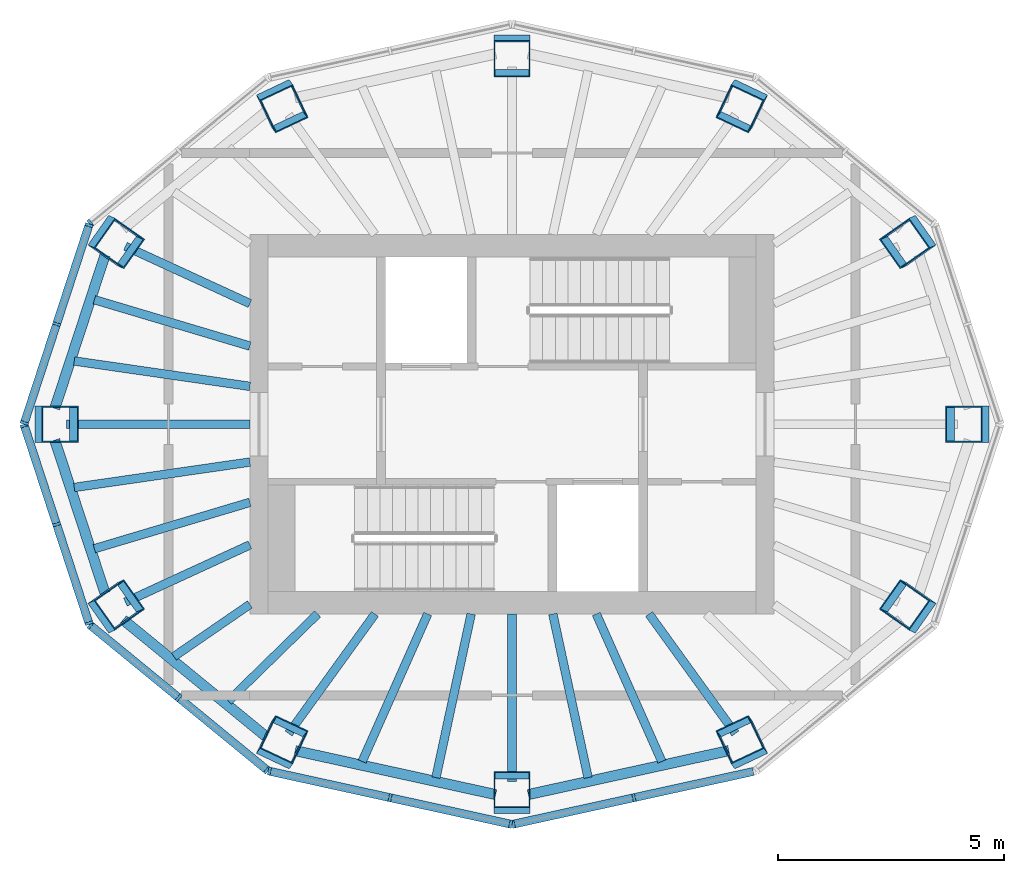
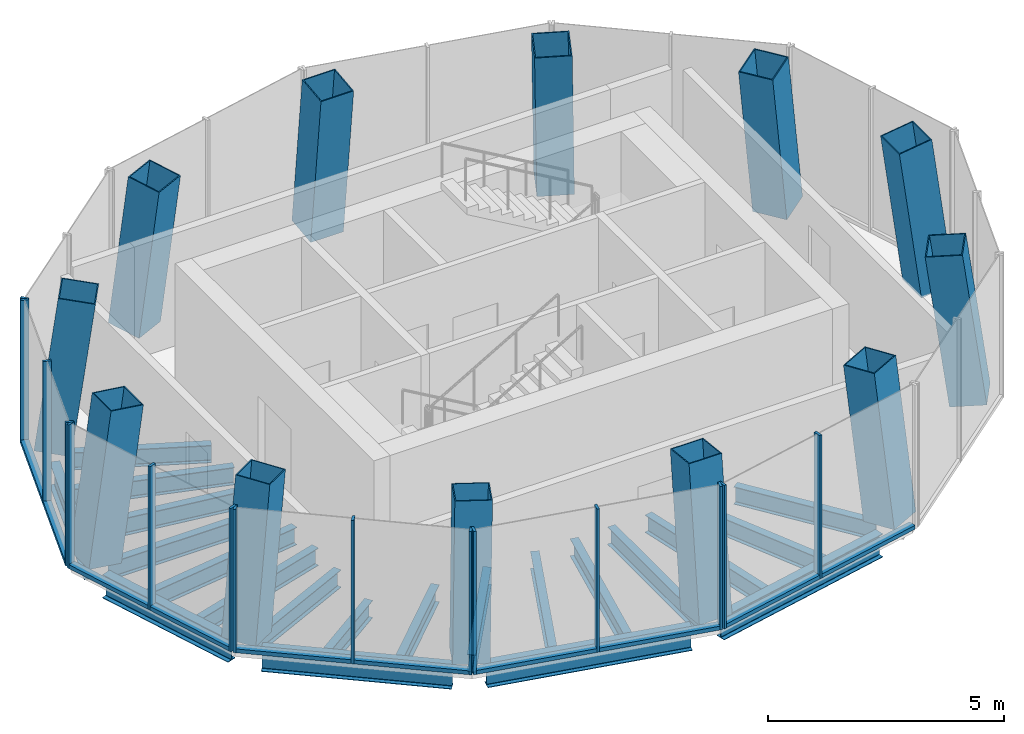
# One storey, part 1 of 5: 25 members, 21 beams, 12 columns, 6 elements without a shape of their own.
"""IFC4 building model written with IfcOpenShell, lengths in metres."""

from ifc_helpers import new_model, si_unit, direction, frame, origin, origin_2d, place, context, subcontext, project, spatial, rectangle, hollow_rectangle, i_section, extrude, material, layer, layer_set, material_profile, profile_set, type_object, element, aggregate, save


model = new_model("IFC4")

# Units and contexts
model_context = context("Model", 3, precision=1e-05, world=origin(), true_north=direction((0.0, 1.0)))
body_context = subcontext(model_context, "Body", "Model", "MODEL_VIEW")
ifc_project = project(units=[si_unit("LENGTHUNIT", "METRE"), si_unit("AREAUNIT", "SQUARE_METRE"), si_unit("VOLUMEUNIT", "CUBIC_METRE"), si_unit("PLANEANGLEUNIT", "RADIAN"), si_unit("MASSUNIT", "GRAM", prefix="KILO")], contexts=[model_context])

# Site, building, storey
site_placement = place(None, origin())
site = spatial("IfcSite", under=ifc_project, at=site_placement, CompositionType="ELEMENT")
building_placement = place(site_placement, origin())
building = spatial("IfcBuilding", under=site, at=building_placement, Name="Siaravel Broadcast Tower", CompositionType="ELEMENT")
storey_placement = place(building_placement, frame((0.0, 0.0, 288.199951171875)))
storey = spatial("IfcBuildingStorey", under=building, at=storey_placement, Name="L70", CompositionType="ELEMENT", Elevation=288.199951171875)

# Columns
ifc_material_1 = material(Name="Concrete C50/60", Category="concrete")
ifc_material_profile_1 = material_profile(ifc_material_1, hollow_rectangle(XDim=0.800048828125, YDim=0.800048828125, WallThickness=0.02490234375, at=origin_2d()))
ifc_profile_set_1 = profile_set([ifc_material_profile_1], Name="Concrete C50/60")
column_type = type_object("IfcColumnType", Name="Crown rib CFT BOX 800x800x25", PredefinedType="COLUMN", material=ifc_profile_set_1)
column_1_placement = place(storey_placement, frame((10.163818359375, 0.0, 0.0), z_axis=(-0.136914367, 0.0, 0.990582887), x_axis=(0.0, -1.0, 0.0)))
element("IfcColumn", 1, at=column_1_placement, inside=storey, type_object=column_type, Name="Crown rib 01", PredefinedType="COLUMN", context=body_context, shape_type="SweptSolid", body=[
    extrude(hollow_rectangle(XDim=0.800048828125, YDim=0.800048828125, WallThickness=0.02490234375, at=origin_2d()), origin(), (0.0, 0.0, 1.0), 3.937255859375),
])
column_2_placement = place(storey_placement, frame((8.830810546875, 4.064697265625, 0.0), z_axis=(-0.11908856, -0.054796873, 0.991370374), x_axis=(0.574592794, -0.818093207, 0.023803898)))
element("IfcColumn", 2, at=column_2_placement, inside=storey, type_object=column_type, Name="Crown rib 02", PredefinedType="COLUMN", context=body_context, shape_type="SweptSolid", body=[
    extrude(hollow_rectangle(XDim=0.800048828125, YDim=0.800048828125, WallThickness=0.02490234375, at=origin_2d()), origin(), (0.0, 0.0, 1.0), 3.93408203125),
])
column_3_placement = place(storey_placement, frame((5.12451171875, 7.095458984375, 0.0), z_axis=(-0.069182879, -0.095849056, 0.992988765), x_axis=(0.90338224, -0.42829199, 0.021598634)))
element("IfcColumn", 3, at=column_3_placement, inside=storey, type_object=column_type, Name="Crown rib 03", PredefinedType="COLUMN", context=body_context, shape_type="SweptSolid", body=[
    extrude(hollow_rectangle(XDim=0.800048828125, YDim=0.800048828125, WallThickness=0.02490234375, at=origin_2d()), origin(), (0.0, 0.0, 1.0), 3.927734375),
])
column_4_placement = place(storey_placement, frame((0.0, 8.21875, 0.0), z_axis=(0.0, -0.111046025, 0.993815265), x_axis=(1.0, 0.0, 0.0)))
element("IfcColumn", 4, at=column_4_placement, inside=storey, type_object=column_type, Name="Crown rib 04", PredefinedType="COLUMN", context=body_context, shape_type="SweptSolid", body=[
    extrude(hollow_rectangle(XDim=0.800048828125, YDim=0.800048828125, WallThickness=0.02490234375, at=origin_2d()), origin(), (0.0, 0.0, 1.0), 3.92431640625),
])
column_5_placement = place(storey_placement, frame((-5.12451171875, 7.095458984375, 0.0), z_axis=(0.069182879, -0.095849056, 0.992988765), x_axis=(0.90338224, 0.42829199, -0.021598634)))
element("IfcColumn", 5, at=column_5_placement, inside=storey, type_object=column_type, Name="Crown rib 05", PredefinedType="COLUMN", context=body_context, shape_type="SweptSolid", body=[
    extrude(hollow_rectangle(XDim=0.800048828125, YDim=0.800048828125, WallThickness=0.02490234375, at=origin_2d()), origin(), (0.0, 0.0, 1.0), 3.927734375),
])
column_6_placement = place(storey_placement, frame((-8.830810546875, 4.064697265625, 0.0), z_axis=(0.11908856, -0.054796873, 0.991370374), x_axis=(0.574592794, 0.818093207, -0.023803898)))
element("IfcColumn", 6, at=column_6_placement, inside=storey, type_object=column_type, Name="Crown rib 06", PredefinedType="COLUMN", context=body_context, shape_type="SweptSolid", body=[
    extrude(hollow_rectangle(XDim=0.800048828125, YDim=0.800048828125, WallThickness=0.02490234375, at=origin_2d()), origin(), (0.0, 0.0, 1.0), 3.93408203125),
])
column_7_placement = place(storey_placement, frame((-10.163818359375, 0.0, 0.0), z_axis=(0.136914367, 0.0, 0.990582887), x_axis=(0.0, 1.0, 0.0)))
element("IfcColumn", 7, at=column_7_placement, inside=storey, type_object=column_type, Name="Crown rib 07", PredefinedType="COLUMN", context=body_context, shape_type="SweptSolid", body=[
    extrude(hollow_rectangle(XDim=0.800048828125, YDim=0.800048828125, WallThickness=0.02490234375, at=origin_2d()), origin(), (0.0, 0.0, 1.0), 3.937255859375),
])
column_8_placement = place(storey_placement, frame((-8.830810546875, -4.064697265625, 0.0), z_axis=(0.11908856, 0.054796873, 0.991370374), x_axis=(-0.574592794, 0.818093207, 0.023803898)))
element("IfcColumn", 8, at=column_8_placement, inside=storey, type_object=column_type, Name="Crown rib 08", PredefinedType="COLUMN", context=body_context, shape_type="SweptSolid", body=[
    extrude(hollow_rectangle(XDim=0.800048828125, YDim=0.800048828125, WallThickness=0.02490234375, at=origin_2d()), origin(), (0.0, 0.0, 1.0), 3.93408203125),
])
column_9_placement = place(storey_placement, frame((-5.12451171875, -7.095458984375, 0.0), z_axis=(0.069182879, 0.095849056, 0.992988765), x_axis=(-0.90338224, 0.42829199, 0.021598634)))
element("IfcColumn", 9, at=column_9_placement, inside=storey, type_object=column_type, Name="Crown rib 09", PredefinedType="COLUMN", context=body_context, shape_type="SweptSolid", body=[
    extrude(hollow_rectangle(XDim=0.800048828125, YDim=0.800048828125, WallThickness=0.02490234375, at=origin_2d()), origin(), (0.0, 0.0, 1.0), 3.927734375),
])
column_10_placement = place(storey_placement, frame((0.0, -8.21875, 0.0), z_axis=(0.0, 0.111046025, 0.993815265), x_axis=(-1.0, 0.0, 0.0)))
element("IfcColumn", 10, at=column_10_placement, inside=storey, type_object=column_type, Name="Crown rib 10", PredefinedType="COLUMN", context=body_context, shape_type="SweptSolid", body=[
    extrude(hollow_rectangle(XDim=0.800048828125, YDim=0.800048828125, WallThickness=0.02490234375, at=origin_2d()), origin(), (0.0, 0.0, 1.0), 3.92431640625),
])
column_11_placement = place(storey_placement, frame((5.12451171875, -7.095458984375, 0.0), z_axis=(-0.069182879, 0.095849056, 0.992988765), x_axis=(-0.90338224, -0.42829199, -0.021598634)))
element("IfcColumn", 11, at=column_11_placement, inside=storey, type_object=column_type, Name="Crown rib 11", PredefinedType="COLUMN", context=body_context, shape_type="SweptSolid", body=[
    extrude(hollow_rectangle(XDim=0.800048828125, YDim=0.800048828125, WallThickness=0.02490234375, at=origin_2d()), origin(), (0.0, 0.0, 1.0), 3.927734375),
])
column_12_placement = place(storey_placement, frame((8.830810546875, -4.064697265625, 0.0), z_axis=(-0.11908856, 0.054796873, 0.991370374), x_axis=(-0.574592794, -0.818093207, -0.023803898)))
element("IfcColumn", 12, at=column_12_placement, inside=storey, type_object=column_type, Name="Crown rib 12", PredefinedType="COLUMN", context=body_context, shape_type="SweptSolid", body=[
    extrude(hollow_rectangle(XDim=0.800048828125, YDim=0.800048828125, WallThickness=0.02490234375, at=origin_2d()), origin(), (0.0, 0.0, 1.0), 3.93408203125),
])

# Curtain wall, member
ifc_material_2 = material(Name="Aluminium 6063-T6", Category="aluminium")
ifc_layer = layer(ifc_material_2, 0.179931640625)
ifc_layer_set = layer_set([ifc_layer], Name="Aluminium 6063-T6")
curtain_wall_type = type_object("IfcCurtainWallType", Name="Crown glass facet wall", PredefinedType="NOTDEFINED", material=ifc_layer_set)
curtain_wall_1_placement = place(storey_placement, origin())
curtain_wall_1 = element("IfcCurtainWall", 13, at=curtain_wall_1_placement, inside=storey, type_object=curtain_wall_type, Name="L70 Crown glass facet wall 05", PredefinedType="NOTDEFINED")
ifc_material_profile_2 = material_profile(ifc_material_2, rectangle(XDim=0.179931640625, YDim=0.06005859375, at=origin_2d()))
ifc_profile_set_2 = profile_set([ifc_material_profile_2], Name="Aluminium 6063-T6")
member_type_1 = type_object("IfcMemberType", Name="CW-CR mullion", PredefinedType="MULLION", material=ifc_profile_set_2)
member_1_placement = place(storey_placement, frame((-9.3291015625, 4.451416015625, 0.0), z_axis=(0.0, 0.0, 1.0), x_axis=(0.633718382, -0.773563838, 0.0)))
member_1 = element("IfcMember", 14, at=member_1_placement, type_object=member_type_1, Name="CW-CR mullion 3", PredefinedType="MULLION", context=body_context, shape_type="SweptSolid", body=[
    extrude(rectangle(XDim=0.179931640625, YDim=0.06005859375, at=origin_2d()), origin(), (0.0, 0.0, 1.0), 3.699951171875),
])
aggregate(curtain_wall_1, [member_1])

# Curtain wall, members
curtain_wall_2_placement = place(storey_placement, origin())
curtain_wall_2 = element("IfcCurtainWall", 15, at=curtain_wall_2_placement, inside=storey, type_object=curtain_wall_type, Name="L70 Crown glass facet wall 06", PredefinedType="NOTDEFINED")
member_2_placement = place(storey_placement, frame((-9.361572265625, 4.40380859375, 0.0), z_axis=(0.0, 0.0, 1.0), x_axis=(0.950457945, -0.310853173, 0.0)))
member_2 = element("IfcMember", 16, at=member_2_placement, type_object=member_type_1, Name="CW-CR mullion 1", PredefinedType="MULLION", context=body_context, shape_type="SweptSolid", body=[
    extrude(rectangle(XDim=0.179931640625, YDim=0.06005859375, at=origin_2d()), origin(), (0.0, 0.0, 1.0), 3.699951171875),
])
member_3_placement = place(storey_placement, frame((-10.0771484375, 2.21630859375, 0.0), z_axis=(0.0, 0.0, 1.0), x_axis=(0.950457945, -0.310853173, 0.0)))
member_3 = element("IfcMember", 17, at=member_3_placement, type_object=member_type_1, Name="CW-CR mullion 2", PredefinedType="MULLION", context=body_context, shape_type="SweptSolid", body=[
    extrude(rectangle(XDim=0.179931640625, YDim=0.06005859375, at=origin_2d()), origin(), (0.0, 0.0, 1.0), 3.699951171875),
])
member_4_placement = place(storey_placement, frame((-10.79248046875, 0.028564453125, 0.0), z_axis=(0.0, 0.0, 1.0), x_axis=(0.950457945, -0.310853173, 0.0)))
member_4 = element("IfcMember", 18, at=member_4_placement, type_object=member_type_1, Name="CW-CR mullion 3", PredefinedType="MULLION", context=body_context, shape_type="SweptSolid", body=[
    extrude(rectangle(XDim=0.179931640625, YDim=0.06005859375, at=origin_2d()), origin(), (0.0, 0.0, 1.0), 3.699951171875),
])

curtain_wall_3_placement = place(storey_placement, origin())
curtain_wall_3 = element("IfcCurtainWall", 19, at=curtain_wall_3_placement, inside=storey, type_object=curtain_wall_type, Name="L70 Crown glass facet wall 07", PredefinedType="NOTDEFINED")
member_5_placement = place(storey_placement, frame((-10.79248046875, -0.028564453125, 0.0), z_axis=(0.0, 0.0, 1.0), x_axis=(0.950457945, 0.310853173, 0.0)))
member_5 = element("IfcMember", 20, at=member_5_placement, type_object=member_type_1, Name="CW-CR mullion 1", PredefinedType="MULLION", context=body_context, shape_type="SweptSolid", body=[
    extrude(rectangle(XDim=0.179931640625, YDim=0.06005859375, at=origin_2d()), origin(), (0.0, 0.0, 1.0), 3.699951171875),
])
member_6_placement = place(storey_placement, frame((-10.0771484375, -2.21630859375, 0.0), z_axis=(0.0, 0.0, 1.0), x_axis=(0.950457945, 0.310853173, 0.0)))
member_6 = element("IfcMember", 21, at=member_6_placement, type_object=member_type_1, Name="CW-CR mullion 2", PredefinedType="MULLION", context=body_context, shape_type="SweptSolid", body=[
    extrude(rectangle(XDim=0.179931640625, YDim=0.06005859375, at=origin_2d()), origin(), (0.0, 0.0, 1.0), 3.699951171875),
])
member_7_placement = place(storey_placement, frame((-9.361572265625, -4.40380859375, 0.0), z_axis=(0.0, 0.0, 1.0), x_axis=(0.950457945, 0.310853173, 0.0)))
member_7 = element("IfcMember", 22, at=member_7_placement, type_object=member_type_1, Name="CW-CR mullion 3", PredefinedType="MULLION", context=body_context, shape_type="SweptSolid", body=[
    extrude(rectangle(XDim=0.179931640625, YDim=0.06005859375, at=origin_2d()), origin(), (0.0, 0.0, 1.0), 3.699951171875),
])

curtain_wall_4_placement = place(storey_placement, origin())
curtain_wall_4 = element("IfcCurtainWall", 23, at=curtain_wall_4_placement, inside=storey, type_object=curtain_wall_type, Name="L70 Crown glass facet wall 08", PredefinedType="NOTDEFINED")
member_8_placement = place(storey_placement, frame((-9.3291015625, -4.451416015625, 0.0), z_axis=(0.0, 0.0, 1.0), x_axis=(0.633718382, 0.773563838, 0.0)))
member_8 = element("IfcMember", 24, at=member_8_placement, type_object=member_type_1, Name="CW-CR mullion 1", PredefinedType="MULLION", context=body_context, shape_type="SweptSolid", body=[
    extrude(rectangle(XDim=0.179931640625, YDim=0.06005859375, at=origin_2d()), origin(), (0.0, 0.0, 1.0), 3.699951171875),
])
member_9_placement = place(storey_placement, frame((-7.374755859375, -6.05224609375, 0.0), z_axis=(0.0, 0.0, 1.0), x_axis=(0.633718382, 0.773563838, 0.0)))
member_9 = element("IfcMember", 25, at=member_9_placement, type_object=member_type_1, Name="CW-CR mullion 2", PredefinedType="MULLION", context=body_context, shape_type="SweptSolid", body=[
    extrude(rectangle(XDim=0.179931640625, YDim=0.06005859375, at=origin_2d()), origin(), (0.0, 0.0, 1.0), 3.699951171875),
])
member_10_placement = place(storey_placement, frame((-5.42041015625, -7.6533203125, 0.0), z_axis=(0.0, 0.0, 1.0), x_axis=(0.633718382, 0.773563838, 0.0)))
member_10 = element("IfcMember", 26, at=member_10_placement, type_object=member_type_1, Name="CW-CR mullion 3", PredefinedType="MULLION", context=body_context, shape_type="SweptSolid", body=[
    extrude(rectangle(XDim=0.179931640625, YDim=0.06005859375, at=origin_2d()), origin(), (0.0, 0.0, 1.0), 3.699951171875),
])

curtain_wall_5_placement = place(storey_placement, origin())
curtain_wall_5 = element("IfcCurtainWall", 27, at=curtain_wall_5_placement, inside=storey, type_object=curtain_wall_type, Name="L70 Crown glass facet wall 09", PredefinedType="NOTDEFINED")
member_11_placement = place(storey_placement, frame((-5.367919921875, -7.6787109375, 0.0), z_axis=(0.0, 0.0, 1.0), x_axis=(0.214396084, 0.976746804, 0.0)))
member_11 = element("IfcMember", 28, at=member_11_placement, type_object=member_type_1, Name="CW-CR mullion 1", PredefinedType="MULLION", context=body_context, shape_type="SweptSolid", body=[
    extrude(rectangle(XDim=0.179931640625, YDim=0.06005859375, at=origin_2d()), origin(), (0.0, 0.0, 1.0), 3.699951171875),
])
member_12_placement = place(storey_placement, frame((-2.69873046875, -8.2646484375, 0.0), z_axis=(0.0, 0.0, 1.0), x_axis=(0.214396084, 0.976746804, 0.0)))
member_12 = element("IfcMember", 29, at=member_12_placement, type_object=member_type_1, Name="CW-CR mullion 2", PredefinedType="MULLION", context=body_context, shape_type="SweptSolid", body=[
    extrude(rectangle(XDim=0.179931640625, YDim=0.06005859375, at=origin_2d()), origin(), (0.0, 0.0, 1.0), 3.699951171875),
])
member_13_placement = place(storey_placement, frame((-0.029296875, -8.8505859375, 0.0), z_axis=(0.0, 0.0, 1.0), x_axis=(0.214396084, 0.976746804, 0.0)))
member_13 = element("IfcMember", 30, at=member_13_placement, type_object=member_type_1, Name="CW-CR mullion 3", PredefinedType="MULLION", context=body_context, shape_type="SweptSolid", body=[
    extrude(rectangle(XDim=0.179931640625, YDim=0.06005859375, at=origin_2d()), origin(), (0.0, 0.0, 1.0), 3.699951171875),
])

curtain_wall_6_placement = place(storey_placement, origin())
curtain_wall_6 = element("IfcCurtainWall", 31, at=curtain_wall_6_placement, inside=storey, type_object=curtain_wall_type, Name="L70 Crown glass facet wall 10", PredefinedType="NOTDEFINED")
member_14_placement = place(storey_placement, frame((0.029296875, -8.8505859375, 0.0), z_axis=(0.0, 0.0, 1.0), x_axis=(-0.214396084, 0.976746804, 0.0)))
member_14 = element("IfcMember", 32, at=member_14_placement, type_object=member_type_1, Name="CW-CR mullion 1", PredefinedType="MULLION", context=body_context, shape_type="SweptSolid", body=[
    extrude(rectangle(XDim=0.179931640625, YDim=0.06005859375, at=origin_2d()), origin(), (0.0, 0.0, 1.0), 3.699951171875),
])
member_15_placement = place(storey_placement, frame((2.69873046875, -8.2646484375, 0.0), z_axis=(0.0, 0.0, 1.0), x_axis=(-0.214396084, 0.976746804, 0.0)))
member_15 = element("IfcMember", 33, at=member_15_placement, type_object=member_type_1, Name="CW-CR mullion 2", PredefinedType="MULLION", context=body_context, shape_type="SweptSolid", body=[
    extrude(rectangle(XDim=0.179931640625, YDim=0.06005859375, at=origin_2d()), origin(), (0.0, 0.0, 1.0), 3.699951171875),
])

# Member
ifc_material_profile_3 = material_profile(ifc_material_2, rectangle(XDim=0.179931640625, YDim=0.10009765625, at=origin_2d()))
ifc_profile_set_3 = profile_set([ifc_material_profile_3], Name="Aluminium 6063-T6")
member_type_2 = type_object("IfcMemberType", Name="CW-CR transom", PredefinedType="USERDEFINED", material=ifc_profile_set_3)
member_16_placement = place(storey_placement, frame((-9.370849609375, 4.375244140625, 0.050048828125), z_axis=(-0.310929956, -0.950432829, 0.0), x_axis=(0.950432829, -0.310929956, 0.0)))
member_16 = element("IfcMember", 34, at=member_16_placement, type_object=member_type_2, Name="CW-CR transom 1", ObjectType="TRANSOM", PredefinedType="USERDEFINED", context=body_context, shape_type="SweptSolid", body=[
    extrude(rectangle(XDim=0.179931640625, YDim=0.10009765625, at=origin_2d()), origin(), (0.0, 0.0, 1.0), 2.24169921875),
])

member_17_placement = place(storey_placement, frame((-10.08642578125, 2.1875, 0.050048828125), z_axis=(-0.310831573, -0.950465009, 0.0), x_axis=(0.950465009, -0.310831573, 0.0)))
member_17 = element("IfcMember", 35, at=member_17_placement, type_object=member_type_2, Name="CW-CR transom 2", ObjectType="TRANSOM", PredefinedType="USERDEFINED", context=body_context, shape_type="SweptSolid", body=[
    extrude(rectangle(XDim=0.179931640625, YDim=0.10009765625, at=origin_2d()), origin(), (0.0, 0.0, 1.0), 2.24169921875),
])

aggregate(curtain_wall_2, [member_2, member_3, member_4, member_16, member_17])

member_18_placement = place(storey_placement, frame((-10.783203125, -0.056884765625, 0.050048828125), z_axis=(0.310831573, -0.950465009, 0.0), x_axis=(0.950465009, 0.310831573, 0.0)))
member_18 = element("IfcMember", 36, at=member_18_placement, type_object=member_type_2, Name="CW-CR transom 1", ObjectType="TRANSOM", PredefinedType="USERDEFINED", context=body_context, shape_type="SweptSolid", body=[
    extrude(rectangle(XDim=0.179931640625, YDim=0.10009765625, at=origin_2d()), origin(), (0.0, 0.0, 1.0), 2.24169921875),
])

member_19_placement = place(storey_placement, frame((-10.06787109375, -2.24462890625, 0.050048828125), z_axis=(0.310929956, -0.950432829, 0.0), x_axis=(0.950432829, 0.310929956, 0.0)))
member_19 = element("IfcMember", 37, at=member_19_placement, type_object=member_type_2, Name="CW-CR transom 2", ObjectType="TRANSOM", PredefinedType="USERDEFINED", context=body_context, shape_type="SweptSolid", body=[
    extrude(rectangle(XDim=0.179931640625, YDim=0.10009765625, at=origin_2d()), origin(), (0.0, 0.0, 1.0), 2.24169921875),
])

aggregate(curtain_wall_3, [member_5, member_6, member_7, member_18, member_19])

member_20_placement = place(storey_placement, frame((-9.305908203125, -4.47021484375, 0.050048828125), z_axis=(0.773573465, -0.633706631, 0.0), x_axis=(0.633706631, 0.773573465, 0.0)))
member_20 = element("IfcMember", 38, at=member_20_placement, type_object=member_type_2, Name="CW-CR transom 1", ObjectType="TRANSOM", PredefinedType="USERDEFINED", context=body_context, shape_type="SweptSolid", body=[
    extrude(rectangle(XDim=0.179931640625, YDim=0.10009765625, at=origin_2d()), origin(), (0.0, 0.0, 1.0), 2.46630859375),
])

member_21_placement = place(storey_placement, frame((-7.3515625, -6.0712890625, 0.050048828125), z_axis=(0.773573465, -0.633706631, 0.0), x_axis=(0.633706631, 0.773573465, 0.0)))
member_21 = element("IfcMember", 39, at=member_21_placement, type_object=member_type_2, Name="CW-CR transom 2", ObjectType="TRANSOM", PredefinedType="USERDEFINED", context=body_context, shape_type="SweptSolid", body=[
    extrude(rectangle(XDim=0.179931640625, YDim=0.10009765625, at=origin_2d()), origin(), (0.0, 0.0, 1.0), 2.46630859375),
])

aggregate(curtain_wall_4, [member_8, member_9, member_10, member_20, member_21])

member_22_placement = place(storey_placement, frame((-5.338623046875, -7.68505859375, 0.050048828125), z_axis=(0.976729877, -0.214473184, 0.0), x_axis=(0.214473184, 0.976729877, 0.0)))
member_22 = element("IfcMember", 40, at=member_22_placement, type_object=member_type_2, Name="CW-CR transom 1", ObjectType="TRANSOM", PredefinedType="USERDEFINED", context=body_context, shape_type="SweptSolid", body=[
    extrude(rectangle(XDim=0.179931640625, YDim=0.10009765625, at=origin_2d()), origin(), (0.0, 0.0, 1.0), 2.6728515625),
])

member_23_placement = place(storey_placement, frame((-2.66943359375, -8.27099609375, 0.050048828125), z_axis=(0.976753206, -0.214366914, 0.0), x_axis=(0.214366914, 0.976753206, 0.0)))
member_23 = element("IfcMember", 41, at=member_23_placement, type_object=member_type_2, Name="CW-CR transom 2", ObjectType="TRANSOM", PredefinedType="USERDEFINED", context=body_context, shape_type="SweptSolid", body=[
    extrude(rectangle(XDim=0.179931640625, YDim=0.10009765625, at=origin_2d()), origin(), (0.0, 0.0, 1.0), 2.673095703125),
])

aggregate(curtain_wall_5, [member_11, member_12, member_13, member_22, member_23])

member_24_placement = place(storey_placement, frame((0.05859375, -8.843994140625, 0.050048828125), z_axis=(0.976753206, 0.214366914, 0.0), x_axis=(-0.214366914, 0.976753206, 0.0)))
member_24 = element("IfcMember", 42, at=member_24_placement, type_object=member_type_2, Name="CW-CR transom 1", ObjectType="TRANSOM", PredefinedType="USERDEFINED", context=body_context, shape_type="SweptSolid", body=[
    extrude(rectangle(XDim=0.179931640625, YDim=0.10009765625, at=origin_2d()), origin(), (0.0, 0.0, 1.0), 2.673095703125),
])

member_25_placement = place(storey_placement, frame((2.72802734375, -8.25830078125, 0.050048828125), z_axis=(0.976729877, 0.214473184, 0.0), x_axis=(-0.214473184, 0.976729877, 0.0)))
member_25 = element("IfcMember", 43, at=member_25_placement, type_object=member_type_2, Name="CW-CR transom 2", ObjectType="TRANSOM", PredefinedType="USERDEFINED", context=body_context, shape_type="SweptSolid", body=[
    extrude(rectangle(XDim=0.179931640625, YDim=0.10009765625, at=origin_2d()), origin(), (0.0, 0.0, 1.0), 2.6728515625),
])

aggregate(curtain_wall_6, [member_14, member_15, member_24, member_25])

# Beams
ifc_material_3 = material(Name="Steel S355", Category="steel")
ifc_material_profile_4 = material_profile(ifc_material_3, i_section(OverallWidth=0.18994140625, OverallDepth=0.453369140625, WebThickness=0.008544921875, FlangeThickness=0.0126953125, FilletRadius=0.01025390625, at=origin_2d()))
ifc_profile_set_4 = profile_set([ifc_material_profile_4], Name="Steel S355")
beam_type_1 = type_object("IfcBeamType", Name="Crown radial beam UB 457x191x67", PredefinedType="BEAM", material=ifc_profile_set_4)
beam_1_placement = place(storey_placement, frame((-8.5546875, 3.9375, -0.4267578125), z_axis=(0.908404234, -0.418092988, 0.0), x_axis=(0.418092988, 0.908404234, 0.0)))
element("IfcBeam", 44, at=beam_1_placement, inside=storey, type_object=beam_type_1, Name="Crown radial beam 5-16", PredefinedType="BEAM", context=body_context, shape_type="SweptSolid", body=[
    extrude(i_section(OverallWidth=0.18994140625, OverallDepth=0.453369140625, WebThickness=0.008544921875, FlangeThickness=0.0126953125, FilletRadius=0.01025390625, at=origin_2d()), origin(), (0.0, 0.0, 1.0), 3.032470703125),
])
beam_2_placement = place(storey_placement, frame((-9.2412109375, 2.755126953125, -0.4267578125), z_axis=(0.95832075, -0.285694487, 0.0), x_axis=(0.285694487, 0.95832075, 0.0)))
element("IfcBeam", 45, at=beam_2_placement, inside=storey, type_object=beam_type_1, Name="Crown radial beam 5-17", PredefinedType="BEAM", context=body_context, shape_type="SweptSolid", body=[
    extrude(i_section(OverallWidth=0.18994140625, OverallDepth=0.453369140625, WebThickness=0.008544921875, FlangeThickness=0.0126953125, FilletRadius=0.01025390625, at=origin_2d()), origin(), (0.0, 0.0, 1.0), 3.5908203125),
])
beam_3_placement = place(storey_placement, frame((-9.68701171875, 1.399169921875, -0.4267578125), z_axis=(0.989725718, -0.142979031, 0.0), x_axis=(0.142979031, 0.989725718, 0.0)))
element("IfcBeam", 46, at=beam_3_placement, inside=storey, type_object=beam_type_1, Name="Crown radial beam 5-18", PredefinedType="BEAM", context=body_context, shape_type="SweptSolid", body=[
    extrude(i_section(OverallWidth=0.18994140625, OverallDepth=0.453369140625, WebThickness=0.008544921875, FlangeThickness=0.0126953125, FilletRadius=0.01025390625, at=origin_2d()), origin(), (0.0, 0.0, 1.0), 3.92724609375),
])
beam_4_placement = place(storey_placement, frame((-9.86279296875, 0.0, -0.4267578125), z_axis=(1.0, 0.0, 0.0), x_axis=(0.0, 1.0, 0.0)))
element("IfcBeam", 47, at=beam_4_placement, inside=storey, type_object=beam_type_1, Name="Crown radial beam 5-19", PredefinedType="BEAM", context=body_context, shape_type="SweptSolid", body=[
    extrude(i_section(OverallWidth=0.18994140625, OverallDepth=0.453369140625, WebThickness=0.008544921875, FlangeThickness=0.0126953125, FilletRadius=0.01025390625, at=origin_2d()), origin(), (0.0, 0.0, 1.0), 4.062744140625),
])
beam_5_placement = place(storey_placement, frame((-9.68701171875, -1.399169921875, -0.4267578125), z_axis=(0.989725718, 0.142979031, 0.0), x_axis=(-0.142979031, 0.989725718, 0.0)))
element("IfcBeam", 48, at=beam_5_placement, inside=storey, type_object=beam_type_1, Name="Crown radial beam 5-20", PredefinedType="BEAM", context=body_context, shape_type="SweptSolid", body=[
    extrude(i_section(OverallWidth=0.18994140625, OverallDepth=0.453369140625, WebThickness=0.008544921875, FlangeThickness=0.0126953125, FilletRadius=0.01025390625, at=origin_2d()), origin(), (0.0, 0.0, 1.0), 3.92724609375),
])
beam_6_placement = place(storey_placement, frame((-9.2412109375, -2.755126953125, -0.4267578125), z_axis=(0.95832075, 0.285694487, 0.0), x_axis=(-0.285694487, 0.95832075, 0.0)))
element("IfcBeam", 49, at=beam_6_placement, inside=storey, type_object=beam_type_1, Name="Crown radial beam 5-21", PredefinedType="BEAM", context=body_context, shape_type="SweptSolid", body=[
    extrude(i_section(OverallWidth=0.18994140625, OverallDepth=0.453369140625, WebThickness=0.008544921875, FlangeThickness=0.0126953125, FilletRadius=0.01025390625, at=origin_2d()), origin(), (0.0, 0.0, 1.0), 3.5908203125),
])
beam_7_placement = place(storey_placement, frame((-8.5546875, -3.9375, -0.4267578125), z_axis=(0.908404234, 0.418092988, 0.0), x_axis=(-0.418092988, 0.908404234, 0.0)))
element("IfcBeam", 50, at=beam_7_placement, inside=storey, type_object=beam_type_1, Name="Crown radial beam 5-22", PredefinedType="BEAM", context=body_context, shape_type="SweptSolid", body=[
    extrude(i_section(OverallWidth=0.18994140625, OverallDepth=0.453369140625, WebThickness=0.008544921875, FlangeThickness=0.0126953125, FilletRadius=0.01025390625, at=origin_2d()), origin(), (0.0, 0.0, 1.0), 3.032470703125),
])
beam_8_placement = place(storey_placement, frame((-7.480712890625, -5.1416015625, -0.4267578125), z_axis=(0.824083836, 0.566467855, 0.0), x_axis=(-0.566467855, 0.824083836, 0.0)))
element("IfcBeam", 51, at=beam_8_placement, inside=storey, type_object=beam_type_1, Name="Crown radial beam 5-23", PredefinedType="BEAM", context=body_context, shape_type="SweptSolid", body=[
    extrude(i_section(OverallWidth=0.18994140625, OverallDepth=0.453369140625, WebThickness=0.008544921875, FlangeThickness=0.0126953125, FilletRadius=0.01025390625, at=origin_2d()), origin(), (0.0, 0.0, 1.0), 2.03955078125),
])
beam_9_placement = place(storey_placement, frame((-6.27392578125, -6.12451171875, -0.4267578125), z_axis=(0.715562605, 0.698548609, 0.0), x_axis=(-0.698548609, 0.715562605, 0.0)))
element("IfcBeam", 52, at=beam_9_placement, inside=storey, type_object=beam_type_1, Name="Crown radial beam 5-24", PredefinedType="BEAM", context=body_context, shape_type="SweptSolid", body=[
    extrude(i_section(OverallWidth=0.18994140625, OverallDepth=0.453369140625, WebThickness=0.008544921875, FlangeThickness=0.0126953125, FilletRadius=0.01025390625, at=origin_2d()), origin(), (0.0, 0.0, 1.0), 2.755126953125),
])
beam_10_placement = place(storey_placement, frame((-4.942626953125, -6.84375, -0.4267578125), z_axis=(0.585444085, 0.810712787, 0.0), x_axis=(-0.810712787, 0.585444085, 0.0)))
element("IfcBeam", 53, at=beam_10_placement, inside=storey, type_object=beam_type_1, Name="Crown radial beam 5-25", PredefinedType="BEAM", context=body_context, shape_type="SweptSolid", body=[
    extrude(i_section(OverallWidth=0.18994140625, OverallDepth=0.453369140625, WebThickness=0.008544921875, FlangeThickness=0.0126953125, FilletRadius=0.01025390625, at=origin_2d()), origin(), (0.0, 0.0, 1.0), 3.260986328125),
])
beam_11_placement = place(storey_placement, frame((-3.31640625, -7.463623046875, -0.4267578125), z_axis=(0.406062352, 0.913845373, 0.0), x_axis=(-0.913845373, 0.406062352, 0.0)))
element("IfcBeam", 54, at=beam_11_placement, inside=storey, type_object=beam_type_1, Name="Crown radial beam 5-26", PredefinedType="BEAM", context=body_context, shape_type="SweptSolid", body=[
    extrude(i_section(OverallWidth=0.18994140625, OverallDepth=0.453369140625, WebThickness=0.008544921875, FlangeThickness=0.0126953125, FilletRadius=0.01025390625, at=origin_2d()), origin(), (0.0, 0.0, 1.0), 3.5712890625),
])
beam_12_placement = place(storey_placement, frame((-1.683349609375, -7.81982421875, -0.4267578125), z_axis=(0.210461074, 0.977602238, 0.0), x_axis=(-0.977602238, 0.210461074, 0.0)))
element("IfcBeam", 55, at=beam_12_placement, inside=storey, type_object=beam_type_1, Name="Crown radial beam 5-27", PredefinedType="BEAM", context=body_context, shape_type="SweptSolid", body=[
    extrude(i_section(OverallWidth=0.18994140625, OverallDepth=0.453369140625, WebThickness=0.008544921875, FlangeThickness=0.0126953125, FilletRadius=0.01025390625, at=origin_2d()), origin(), (0.0, 0.0, 1.0), 3.702880859375),
])
beam_13_placement = place(storey_placement, frame((0.0, -7.90478515625, -0.4267578125), z_axis=(0.0, 1.0, 0.0), x_axis=(-1.0, 0.0, 0.0)))
element("IfcBeam", 56, at=beam_13_placement, inside=storey, type_object=beam_type_1, Name="Crown radial beam 5-28", PredefinedType="BEAM", context=body_context, shape_type="SweptSolid", body=[
    extrude(i_section(OverallWidth=0.18994140625, OverallDepth=0.453369140625, WebThickness=0.008544921875, FlangeThickness=0.0126953125, FilletRadius=0.01025390625, at=origin_2d()), origin(), (0.0, 0.0, 1.0), 3.704833984375),
])
beam_14_placement = place(storey_placement, frame((1.683349609375, -7.81982421875, -0.4267578125), z_axis=(-0.210461074, 0.977602238, 0.0), x_axis=(-0.977602238, -0.210461074, 0.0)))
element("IfcBeam", 57, at=beam_14_placement, inside=storey, type_object=beam_type_1, Name="Crown radial beam 5-29", PredefinedType="BEAM", context=body_context, shape_type="SweptSolid", body=[
    extrude(i_section(OverallWidth=0.18994140625, OverallDepth=0.453369140625, WebThickness=0.008544921875, FlangeThickness=0.0126953125, FilletRadius=0.01025390625, at=origin_2d()), origin(), (0.0, 0.0, 1.0), 3.702880859375),
])
beam_15_placement = place(storey_placement, frame((3.31640625, -7.463623046875, -0.4267578125), z_axis=(-0.406062352, 0.913845373, 0.0), x_axis=(-0.913845373, -0.406062352, 0.0)))
element("IfcBeam", 58, at=beam_15_placement, inside=storey, type_object=beam_type_1, Name="Crown radial beam 5-30", PredefinedType="BEAM", context=body_context, shape_type="SweptSolid", body=[
    extrude(i_section(OverallWidth=0.18994140625, OverallDepth=0.453369140625, WebThickness=0.008544921875, FlangeThickness=0.0126953125, FilletRadius=0.01025390625, at=origin_2d()), origin(), (0.0, 0.0, 1.0), 3.5712890625),
])
beam_16_placement = place(storey_placement, frame((4.942626953125, -6.84375, -0.4267578125), z_axis=(-0.585444085, 0.810712787, 0.0), x_axis=(-0.810712787, -0.585444085, 0.0)))
element("IfcBeam", 59, at=beam_16_placement, inside=storey, type_object=beam_type_1, Name="Crown radial beam 5-31", PredefinedType="BEAM", context=body_context, shape_type="SweptSolid", body=[
    extrude(i_section(OverallWidth=0.18994140625, OverallDepth=0.453369140625, WebThickness=0.008544921875, FlangeThickness=0.0126953125, FilletRadius=0.01025390625, at=origin_2d()), origin(), (0.0, 0.0, 1.0), 3.260986328125),
])
ifc_material_profile_5 = material_profile(ifc_material_3, i_section(OverallWidth=0.2275390625, OverallDepth=0.6025390625, WebThickness=0.010498046875, FlangeThickness=0.014892578125, FilletRadius=0.0126953125, at=origin_2d()))
ifc_profile_set_5 = profile_set([ifc_material_profile_5], Name="Steel S355")
beam_type_2 = type_object("IfcBeamType", Name="Crown ring beam UB 610x229x101", PredefinedType="SPANDREL", material=ifc_profile_set_5)
for number, where, z_axis, x_axis, name in (
    (60, (-9.006103515625, 3.74072265625, -0.501220703125), (-0.311583092, -0.95021891, 0.0), (0.95021891, -0.311583092, 0.0), "Crown ring beam 5-06"),
    (61, (-10.117431640625, -0.3515625, -0.501220703125), (0.311583092, -0.95021891, 0.0), (0.95021891, 0.311583092, 0.0), "Crown ring beam 5-07"),
):
    element("IfcBeam", number, at=place(storey_placement, frame(where, z_axis=z_axis, x_axis=x_axis)), inside=storey, type_object=beam_type_2, Name=name, PredefinedType="SPANDREL", context=body_context, shape_type="SweptSolid", body=[
        extrude(i_section(OverallWidth=0.2275390625, OverallDepth=0.6025390625, WebThickness=0.010498046875, FlangeThickness=0.014892578125, FilletRadius=0.0126953125, at=origin_2d()), origin(), (0.0, 0.0, 1.0), 3.566650390625),
    ])
beam_17_placement = place(storey_placement, frame((-8.604248046875, -4.326416015625, -0.501220703125), z_axis=(0.774098576, -0.633065079, 0.0), x_axis=(0.633065079, 0.774098576, 0.0)))
element("IfcBeam", 62, at=beam_17_placement, inside=storey, type_object=beam_type_2, Name="Crown ring beam 5-08", PredefinedType="SPANDREL", context=body_context, shape_type="SweptSolid", body=[
    extrude(i_section(OverallWidth=0.2275390625, OverallDepth=0.6025390625, WebThickness=0.010498046875, FlangeThickness=0.014892578125, FilletRadius=0.0126953125, at=origin_2d()), origin(), (0.0, 0.0, 1.0), 4.080078125),
])
for number, where, z_axis, x_axis, name in (
    (63, (-4.7978515625, -7.222900390625, -0.501220703125), (0.97680032, -0.214152128, 0.0), (0.214152128, 0.97680032, 0.0), "Crown ring beam 5-09"),
    (64, (0.361328125, -8.195556640625, -0.501220703125), (0.97680032, 0.214152128, 0.0), (-0.214152128, 0.97680032, 0.0), "Crown ring beam 5-10"),
):
    element("IfcBeam", number, at=place(storey_placement, frame(where, z_axis=z_axis, x_axis=x_axis)), inside=storey, type_object=beam_type_2, Name=name, PredefinedType="SPANDREL", context=body_context, shape_type="SweptSolid", body=[
        extrude(i_section(OverallWidth=0.2275390625, OverallDepth=0.6025390625, WebThickness=0.010498046875, FlangeThickness=0.014892578125, FilletRadius=0.0126953125, at=origin_2d()), origin(), (0.0, 0.0, 1.0), 4.5419921875),
    ])

save(model, "model.ifc")
